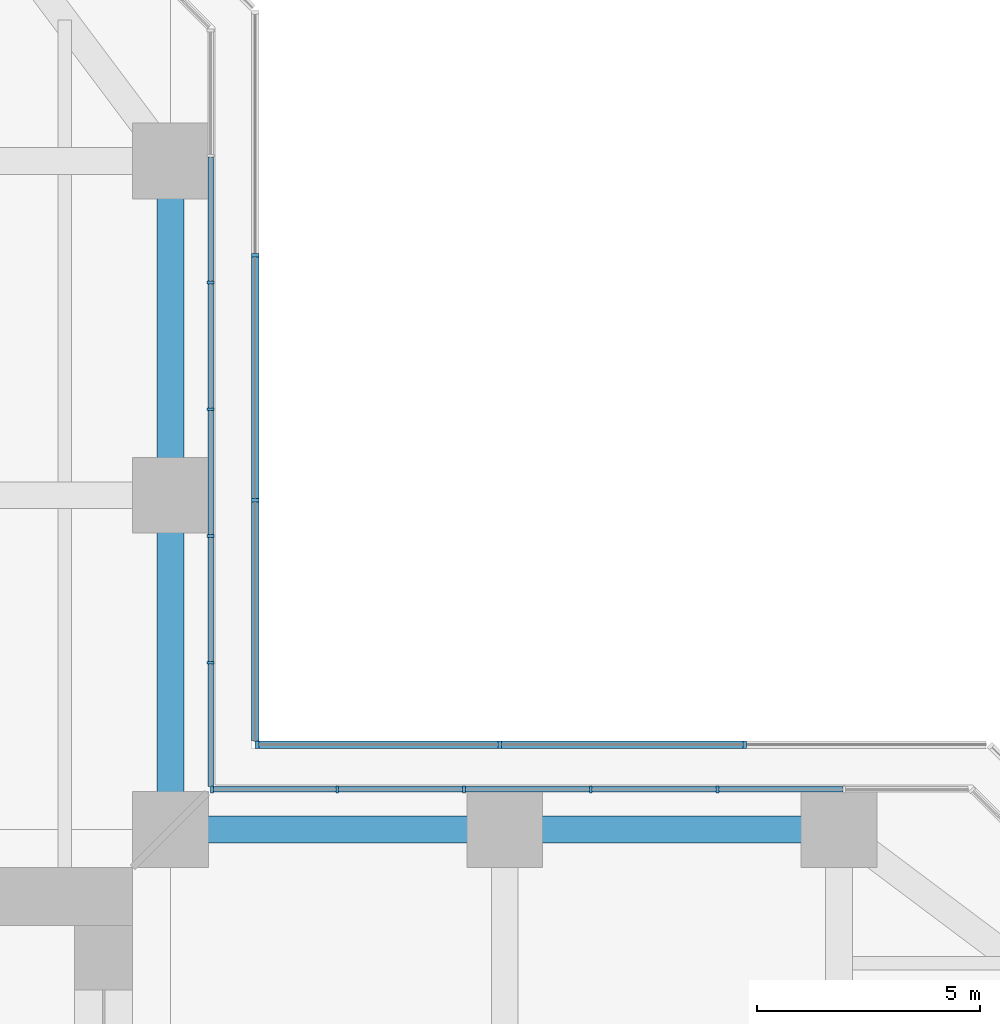
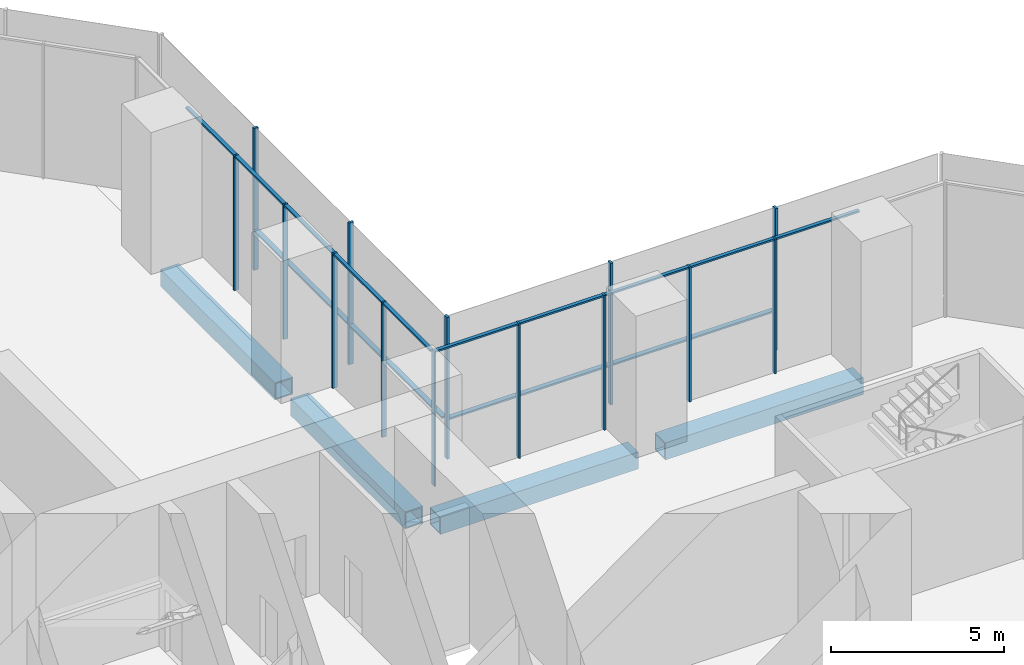
# One storey, part 10 of 23: 28 members, 4 beams, 4 elements without a shape of their own.
"""IFC4 building model written with IfcOpenShell, lengths in metres."""

from ifc_helpers import new_model, si_unit, direction, frame, origin, origin_2d, place, context, subcontext, project, spatial, rectangle, hollow_rectangle, extrude, material, material_profile, profile_set, type_object, element, aggregate, save


model = new_model("IFC4")

# Units and contexts
model_context = context("Model", 3, precision=1e-05, world=origin(), true_north=direction((0.0, 1.0)))
body_context = subcontext(model_context, "Body", "Model", "MODEL_VIEW")
ifc_project = project(units=[si_unit("LENGTHUNIT", "METRE"), si_unit("AREAUNIT", "SQUARE_METRE"), si_unit("VOLUMEUNIT", "CUBIC_METRE"), si_unit("PLANEANGLEUNIT", "RADIAN"), si_unit("MASSUNIT", "GRAM", prefix="KILO")], contexts=[model_context])

# Site, building, storey
site_placement = place(None, origin())
site = spatial("IfcSite", under=ifc_project, at=site_placement, CompositionType="ELEMENT")
building_placement = place(site_placement, origin())
building = spatial("IfcBuilding", under=site, at=building_placement, Name="Mizan Broadcast Tower", CompositionType="ELEMENT")
storey_placement = place(building_placement, frame((0.0, 0.0, 23.0)))
storey = spatial("IfcBuildingStorey", under=building, at=storey_placement, Name="L03", CompositionType="ELEMENT", Elevation=23.0)

# Beams
ifc_material_1 = material(Name="Steel S355", Category="steel")
ifc_material_profile_1 = material_profile(ifc_material_1, hollow_rectangle(XDim=0.60009765625, YDim=0.60009765625, WallThickness=0.0400390625, at=origin_2d()), Name="BOX 600x600x40")
ifc_profile_set_1 = profile_set([ifc_material_profile_1], Name="Steel S355")
beam_type = type_object("IfcBeamType", Name="EDGE BEAM BOX 600x600x40", PredefinedType="SPANDREL", material=ifc_profile_set_1)
for number, where, z_axis, x_axis, name in (
    (1, (12.449951171875, 12.0, -0.550048828125), (1.0, 0.0, 0.0), (0.0, 1.0, 0.0), "Edge beam BOX 600x600x40 L03 east arm"),
    (2, (19.949951171875, 12.0, -0.550048828125), (1.0, 0.0, 0.0), (0.0, 1.0, 0.0), "Edge beam BOX 600x600x40 L03 east arm"),
    (3, (12.0, 12.449951171875, -0.550048828125), (0.0, 1.0, 0.0), (-1.0, 0.0, 0.0), "Edge beam BOX 600x600x40 L03 north arm"),
    (4, (12.0, 19.949951171875, -0.550048828125), (0.0, 1.0, 0.0), (-1.0, 0.0, 0.0), "Edge beam BOX 600x600x40 L03 north arm"),
):
    element("IfcBeam", number, at=place(storey_placement, frame(where, z_axis=z_axis, x_axis=x_axis)), inside=storey, type_object=beam_type, Name=name, PredefinedType="SPANDREL", context=body_context, shape_type="SweptSolid", body=[
        extrude(hollow_rectangle(XDim=0.60009765625, YDim=0.60009765625, WallThickness=0.0400390625, at=origin_2d()), origin(), (0.0, 0.0, 1.0), 6.60009765625),
    ])

# Curtain wall, members
ifc_material_2 = material(Name="Aluminium framed glazing", Category="aluminium")
curtain_wall_type_1 = type_object("IfcCurtainWallType", Name="PODIUM CURTAIN WALL", PredefinedType="USERDEFINED", material=ifc_material_2)
curtain_wall_1_placement = place(storey_placement, origin())
curtain_wall_1 = element("IfcCurtainWall", 5, at=curtain_wall_1_placement, inside=storey, type_object=curtain_wall_type_1, Name="Podium curtain wall L03 E side", ObjectType="PODIUM CURTAIN WALL", PredefinedType="USERDEFINED")
ifc_material_3 = material(Name="Aluminium, pale anodised", Category="aluminium")
ifc_material_profile_2 = material_profile(ifc_material_3, rectangle(XDim=0.159912109375, YDim=0.06005859375, at=origin_2d()), Name="MULLION 160x60")
ifc_profile_set_2 = profile_set([ifc_material_profile_2], Name="Aluminium, pale anodised")
member_type_1 = type_object("IfcMemberType", Name="INNER SKIN MULLION 60x160", PredefinedType="MULLION", material=ifc_profile_set_2)
member_1_placement = place(storey_placement, frame((24.2724609375, 12.89990234375, 0.0), z_axis=(0.0, 0.0, 1.0), x_axis=(0.0, -1.0, 0.0)))
member_1 = element("IfcMember", 6, at=member_1_placement, type_object=member_type_1, Name="Podium curtain wall L03 E side mullion 3", PredefinedType="MULLION", context=body_context, shape_type="SweptSolid", body=[
    extrude(rectangle(XDim=0.159912109375, YDim=0.06005859375, at=origin_2d()), origin(), (0.0, 0.0, 1.0), 4.75),
])
member_2_placement = place(storey_placement, frame((21.42919921875, 12.89990234375, 0.0), z_axis=(0.0, 0.0, 1.0), x_axis=(0.0, -1.0, 0.0)))
member_2 = element("IfcMember", 7, at=member_2_placement, type_object=member_type_1, Name="Podium curtain wall L03 E side mullion 4", PredefinedType="MULLION", context=body_context, shape_type="SweptSolid", body=[
    extrude(rectangle(XDim=0.159912109375, YDim=0.06005859375, at=origin_2d()), origin(), (0.0, 0.0, 1.0), 4.75),
])
member_3_placement = place(storey_placement, frame((18.586181640625, 12.89990234375, 0.0), z_axis=(0.0, 0.0, 1.0), x_axis=(0.0, -1.0, 0.0)))
member_3 = element("IfcMember", 8, at=member_3_placement, type_object=member_type_1, Name="Podium curtain wall L03 E side mullion 5", PredefinedType="MULLION", context=body_context, shape_type="SweptSolid", body=[
    extrude(rectangle(XDim=0.159912109375, YDim=0.06005859375, at=origin_2d()), origin(), (0.0, 0.0, 1.0), 4.75),
])
member_4_placement = place(storey_placement, frame((15.7431640625, 12.89990234375, 0.0), z_axis=(0.0, 0.0, 1.0), x_axis=(0.0, -1.0, 0.0)))
member_4 = element("IfcMember", 9, at=member_4_placement, type_object=member_type_1, Name="Podium curtain wall L03 E side mullion 6", PredefinedType="MULLION", context=body_context, shape_type="SweptSolid", body=[
    extrude(rectangle(XDim=0.159912109375, YDim=0.06005859375, at=origin_2d()), origin(), (0.0, 0.0, 1.0), 4.75),
])
member_5_placement = place(storey_placement, frame((12.929931640625, 12.89990234375, 0.0), z_axis=(0.0, 0.0, 1.0), x_axis=(0.0, -1.0, 0.0)))
member_5 = element("IfcMember", 10, at=member_5_placement, type_object=member_type_1, Name="Podium curtain wall L03 E side mullion 7", PredefinedType="MULLION", context=body_context, shape_type="SweptSolid", body=[
    extrude(rectangle(XDim=0.159912109375, YDim=0.06005859375, at=origin_2d()), origin(), (0.0, 0.0, 1.0), 4.75),
])

curtain_wall_2_placement = place(storey_placement, origin())
curtain_wall_2 = element("IfcCurtainWall", 11, at=curtain_wall_2_placement, inside=storey, type_object=curtain_wall_type_1, Name="Podium curtain wall L03 N side", ObjectType="PODIUM CURTAIN WALL", PredefinedType="USERDEFINED")
member_6_placement = place(storey_placement, frame((12.89990234375, 15.7431640625, 0.0), z_axis=(0.0, 0.0, 1.0), x_axis=(-1.0, 0.0, 0.0)))
member_6 = element("IfcMember", 12, at=member_6_placement, type_object=member_type_1, Name="Podium curtain wall L03 N side mullion 2", PredefinedType="MULLION", context=body_context, shape_type="SweptSolid", body=[
    extrude(rectangle(XDim=0.159912109375, YDim=0.06005859375, at=origin_2d()), origin(), (0.0, 0.0, 1.0), 4.75),
])
member_7_placement = place(storey_placement, frame((12.89990234375, 18.586181640625, 0.0), z_axis=(0.0, 0.0, 1.0), x_axis=(-1.0, 0.0, 0.0)))
member_7 = element("IfcMember", 13, at=member_7_placement, type_object=member_type_1, Name="Podium curtain wall L03 N side mullion 3", PredefinedType="MULLION", context=body_context, shape_type="SweptSolid", body=[
    extrude(rectangle(XDim=0.159912109375, YDim=0.06005859375, at=origin_2d()), origin(), (0.0, 0.0, 1.0), 4.75),
])
member_8_placement = place(storey_placement, frame((12.89990234375, 21.42919921875, 0.0), z_axis=(0.0, 0.0, 1.0), x_axis=(-1.0, 0.0, 0.0)))
member_8 = element("IfcMember", 14, at=member_8_placement, type_object=member_type_1, Name="Podium curtain wall L03 N side mullion 4", PredefinedType="MULLION", context=body_context, shape_type="SweptSolid", body=[
    extrude(rectangle(XDim=0.159912109375, YDim=0.06005859375, at=origin_2d()), origin(), (0.0, 0.0, 1.0), 4.75),
])
member_9_placement = place(storey_placement, frame((12.89990234375, 24.2724609375, 0.0), z_axis=(0.0, 0.0, 1.0), x_axis=(-1.0, 0.0, 0.0)))
member_9 = element("IfcMember", 15, at=member_9_placement, type_object=member_type_1, Name="Podium curtain wall L03 N side mullion 5", PredefinedType="MULLION", context=body_context, shape_type="SweptSolid", body=[
    extrude(rectangle(XDim=0.159912109375, YDim=0.06005859375, at=origin_2d()), origin(), (0.0, 0.0, 1.0), 4.75),
])

# Member
ifc_material_4 = material(Name="Aluminium, pale anodised", Category="aluminium")
ifc_material_profile_3 = material_profile(ifc_material_4, rectangle(XDim=0.1201171875, YDim=0.06005859375, at=origin_2d()), Name="TRANSOM 120x60")
ifc_profile_set_3 = profile_set([ifc_material_profile_3], Name="Aluminium, pale anodised")
member_type_2 = type_object("IfcMemberType", Name="INNER SKIN TRANSOM 60x120", PredefinedType="USERDEFINED", material=ifc_profile_set_3)
member_10_placement = place(storey_placement, frame((27.08544921875, 12.89990234375, 4.719970703125), z_axis=(-1.0, 0.0, 0.0), x_axis=(0.0, -1.0, 0.0)))
member_10 = element("IfcMember", 16, at=member_10_placement, type_object=member_type_2, Name="Podium curtain wall L03 E side transom 2.1", ObjectType="TRANSOM", PredefinedType="USERDEFINED", context=body_context, shape_type="SweptSolid", body=[
    extrude(rectangle(XDim=0.1201171875, YDim=0.06005859375, at=origin_2d()), origin(), (0.0, 0.0, 1.0), 2.782958984375),
])

member_11_placement = place(storey_placement, frame((24.242431640625, 12.89990234375, 4.719970703125), z_axis=(-1.0, 0.0, 0.0), x_axis=(0.0, -1.0, 0.0)))
member_11 = element("IfcMember", 17, at=member_11_placement, type_object=member_type_2, Name="Podium curtain wall L03 E side transom 3.1", ObjectType="TRANSOM", PredefinedType="USERDEFINED", context=body_context, shape_type="SweptSolid", body=[
    extrude(rectangle(XDim=0.1201171875, YDim=0.06005859375, at=origin_2d()), origin(), (0.0, 0.0, 1.0), 2.783203125),
])

member_12_placement = place(storey_placement, frame((21.399169921875, 12.89990234375, 4.719970703125), z_axis=(-1.0, 0.0, 0.0), x_axis=(0.0, -1.0, 0.0)))
member_12 = element("IfcMember", 18, at=member_12_placement, type_object=member_type_2, Name="Podium curtain wall L03 E side transom 4.1", ObjectType="TRANSOM", PredefinedType="USERDEFINED", context=body_context, shape_type="SweptSolid", body=[
    extrude(rectangle(XDim=0.1201171875, YDim=0.06005859375, at=origin_2d()), origin(), (0.0, 0.0, 1.0), 2.782958984375),
])

member_13_placement = place(storey_placement, frame((18.55615234375, 12.89990234375, 4.719970703125), z_axis=(-1.0, 0.0, 0.0), x_axis=(0.0, -1.0, 0.0)))
member_13 = element("IfcMember", 19, at=member_13_placement, type_object=member_type_2, Name="Podium curtain wall L03 E side transom 5.1", ObjectType="TRANSOM", PredefinedType="USERDEFINED", context=body_context, shape_type="SweptSolid", body=[
    extrude(rectangle(XDim=0.1201171875, YDim=0.06005859375, at=origin_2d()), origin(), (0.0, 0.0, 1.0), 2.782958984375),
])

member_14_placement = place(storey_placement, frame((15.713134765625, 12.89990234375, 4.719970703125), z_axis=(-1.0, 0.0, 0.0), x_axis=(0.0, -1.0, 0.0)))
member_14 = element("IfcMember", 20, at=member_14_placement, type_object=member_type_2, Name="Podium curtain wall L03 E side transom 6.1", ObjectType="TRANSOM", PredefinedType="USERDEFINED", context=body_context, shape_type="SweptSolid", body=[
    extrude(rectangle(XDim=0.1201171875, YDim=0.06005859375, at=origin_2d()), origin(), (0.0, 0.0, 1.0), 2.753173828125),
])

aggregate(curtain_wall_1, [member_1, member_2, member_3, member_4, member_5, member_10, member_11, member_12, member_13, member_14])

member_15_placement = place(storey_placement, frame((12.89990234375, 12.9599609375, 4.719970703125), z_axis=(0.0, 1.0, 0.0), x_axis=(-1.0, 0.0, 0.0)))
member_15 = element("IfcMember", 21, at=member_15_placement, type_object=member_type_2, Name="Podium curtain wall L03 N side transom 1.1", ObjectType="TRANSOM", PredefinedType="USERDEFINED", context=body_context, shape_type="SweptSolid", body=[
    extrude(rectangle(XDim=0.1201171875, YDim=0.06005859375, at=origin_2d()), origin(), (0.0, 0.0, 1.0), 2.753173828125),
])

member_16_placement = place(storey_placement, frame((12.89990234375, 15.773193359375, 4.719970703125), z_axis=(0.0, 1.0, 0.0), x_axis=(-1.0, 0.0, 0.0)))
member_16 = element("IfcMember", 22, at=member_16_placement, type_object=member_type_2, Name="Podium curtain wall L03 N side transom 2.1", ObjectType="TRANSOM", PredefinedType="USERDEFINED", context=body_context, shape_type="SweptSolid", body=[
    extrude(rectangle(XDim=0.1201171875, YDim=0.06005859375, at=origin_2d()), origin(), (0.0, 0.0, 1.0), 2.782958984375),
])

member_17_placement = place(storey_placement, frame((12.89990234375, 18.6162109375, 4.719970703125), z_axis=(0.0, 1.0, 0.0), x_axis=(-1.0, 0.0, 0.0)))
member_17 = element("IfcMember", 23, at=member_17_placement, type_object=member_type_2, Name="Podium curtain wall L03 N side transom 3.1", ObjectType="TRANSOM", PredefinedType="USERDEFINED", context=body_context, shape_type="SweptSolid", body=[
    extrude(rectangle(XDim=0.1201171875, YDim=0.06005859375, at=origin_2d()), origin(), (0.0, 0.0, 1.0), 2.782958984375),
])

member_18_placement = place(storey_placement, frame((12.89990234375, 21.459228515625, 4.719970703125), z_axis=(0.0, 1.0, 0.0), x_axis=(-1.0, 0.0, 0.0)))
member_18 = element("IfcMember", 24, at=member_18_placement, type_object=member_type_2, Name="Podium curtain wall L03 N side transom 4.1", ObjectType="TRANSOM", PredefinedType="USERDEFINED", context=body_context, shape_type="SweptSolid", body=[
    extrude(rectangle(XDim=0.1201171875, YDim=0.06005859375, at=origin_2d()), origin(), (0.0, 0.0, 1.0), 2.783203125),
])

member_19_placement = place(storey_placement, frame((12.89990234375, 24.302490234375, 4.719970703125), z_axis=(0.0, 1.0, 0.0), x_axis=(-1.0, 0.0, 0.0)))
member_19 = element("IfcMember", 25, at=member_19_placement, type_object=member_type_2, Name="Podium curtain wall L03 N side transom 5.1", ObjectType="TRANSOM", PredefinedType="USERDEFINED", context=body_context, shape_type="SweptSolid", body=[
    extrude(rectangle(XDim=0.1201171875, YDim=0.06005859375, at=origin_2d()), origin(), (0.0, 0.0, 1.0), 2.782958984375),
])

aggregate(curtain_wall_2, [member_6, member_7, member_8, member_9, member_15, member_16, member_17, member_18, member_19])

# Curtain wall, members
ifc_material_5 = material(Name="Aluminium framed glazing", Category="aluminium")
curtain_wall_type_2 = type_object("IfcCurtainWallType", Name="OUTER SKIN", PredefinedType="USERDEFINED", material=ifc_material_5)
curtain_wall_3_placement = place(storey_placement, origin())
curtain_wall_3 = element("IfcCurtainWall", 26, at=curtain_wall_3_placement, inside=storey, type_object=curtain_wall_type_2, Name="Outer skin L03 E side", ObjectType="OUTER SKIN", PredefinedType="USERDEFINED")
ifc_material_6 = material(Name="Aluminium, pale anodised", Category="aluminium")
ifc_material_profile_4 = material_profile(ifc_material_6, rectangle(XDim=0.159912109375, YDim=0.080078125, at=origin_2d()), Name="MULLION 160x80")
ifc_profile_set_4 = profile_set([ifc_material_profile_4], Name="Aluminium, pale anodised")
member_type_3 = type_object("IfcMemberType", Name="OUTER SKIN MULLION 80x160", PredefinedType="MULLION", material=ifc_profile_set_4)
member_20_placement = place(storey_placement, frame((24.8818359375, 13.89990234375, 0.0), z_axis=(0.0, 0.0, 1.0), x_axis=(0.0, -1.0, 0.0)))
member_20 = element("IfcMember", 27, at=member_20_placement, type_object=member_type_3, Name="Outer skin L03 E side mullion 2", PredefinedType="MULLION", context=body_context, shape_type="SweptSolid", body=[
    extrude(rectangle(XDim=0.159912109375, YDim=0.080078125, at=origin_2d()), origin(), (0.0, 0.0, 1.0), 5.0),
])
member_21_placement = place(storey_placement, frame((19.390869140625, 13.89990234375, 0.0), z_axis=(0.0, 0.0, 1.0), x_axis=(0.0, -1.0, 0.0)))
member_21 = element("IfcMember", 28, at=member_21_placement, type_object=member_type_3, Name="Outer skin L03 E side mullion 3", PredefinedType="MULLION", context=body_context, shape_type="SweptSolid", body=[
    extrude(rectangle(XDim=0.159912109375, YDim=0.080078125, at=origin_2d()), origin(), (0.0, 0.0, 1.0), 5.0),
])
member_22_placement = place(storey_placement, frame((13.93994140625, 13.89990234375, 0.0), z_axis=(0.0, 0.0, 1.0), x_axis=(0.0, -1.0, 0.0)))
member_22 = element("IfcMember", 29, at=member_22_placement, type_object=member_type_3, Name="Outer skin L03 E side mullion 4", PredefinedType="MULLION", context=body_context, shape_type="SweptSolid", body=[
    extrude(rectangle(XDim=0.159912109375, YDim=0.080078125, at=origin_2d()), origin(), (0.0, 0.0, 1.0), 5.0),
])

curtain_wall_4_placement = place(storey_placement, origin())
curtain_wall_4 = element("IfcCurtainWall", 30, at=curtain_wall_4_placement, inside=storey, type_object=curtain_wall_type_2, Name="Outer skin L03 N side", ObjectType="OUTER SKIN", PredefinedType="USERDEFINED")
member_23_placement = place(storey_placement, frame((13.89990234375, 19.390869140625, 0.0), z_axis=(0.0, 0.0, 1.0), x_axis=(-1.0, 0.0, 0.0)))
member_23 = element("IfcMember", 31, at=member_23_placement, type_object=member_type_3, Name="Outer skin L03 N side mullion 2", PredefinedType="MULLION", context=body_context, shape_type="SweptSolid", body=[
    extrude(rectangle(XDim=0.159912109375, YDim=0.080078125, at=origin_2d()), origin(), (0.0, 0.0, 1.0), 5.0),
])
member_24_placement = place(storey_placement, frame((13.89990234375, 24.8818359375, 0.0), z_axis=(0.0, 0.0, 1.0), x_axis=(-1.0, 0.0, 0.0)))
member_24 = element("IfcMember", 32, at=member_24_placement, type_object=member_type_3, Name="Outer skin L03 N side mullion 3", PredefinedType="MULLION", context=body_context, shape_type="SweptSolid", body=[
    extrude(rectangle(XDim=0.159912109375, YDim=0.080078125, at=origin_2d()), origin(), (0.0, 0.0, 1.0), 5.0),
])

# Member
ifc_material_7 = material(Name="Aluminium, pale anodised", Category="aluminium")
ifc_material_profile_5 = material_profile(ifc_material_7, rectangle(XDim=0.159912109375, YDim=0.06005859375, at=origin_2d()), Name="TRANSOM 160x60")
ifc_profile_set_5 = profile_set([ifc_material_profile_5], Name="Aluminium, pale anodised")
member_type_4 = type_object("IfcMemberType", Name="OUTER SKIN TRANSOM 60x160", PredefinedType="USERDEFINED", material=ifc_profile_set_5)
member_25_placement = place(storey_placement, frame((24.841796875, 13.89990234375, 1.39990234375), z_axis=(-1.0, 0.0, 0.0), x_axis=(0.0, -1.0, 0.0)))
member_25 = element("IfcMember", 33, at=member_25_placement, type_object=member_type_4, Name="Outer skin L03 E side transom 2.1", ObjectType="TRANSOM", PredefinedType="USERDEFINED", context=body_context, shape_type="SweptSolid", body=[
    extrude(rectangle(XDim=0.159912109375, YDim=0.06005859375, at=origin_2d()), origin(), (0.0, 0.0, 1.0), 5.410888671875),
])

member_26_placement = place(storey_placement, frame((19.350830078125, 13.89990234375, 1.39990234375), z_axis=(-1.0, 0.0, 0.0), x_axis=(0.0, -1.0, 0.0)))
member_26 = element("IfcMember", 34, at=member_26_placement, type_object=member_type_4, Name="Outer skin L03 E side transom 3.1", ObjectType="TRANSOM", PredefinedType="USERDEFINED", context=body_context, shape_type="SweptSolid", body=[
    extrude(rectangle(XDim=0.159912109375, YDim=0.06005859375, at=origin_2d()), origin(), (0.0, 0.0, 1.0), 5.370849609375),
])

aggregate(curtain_wall_3, [member_20, member_21, member_22, member_25, member_26])

member_27_placement = place(storey_placement, frame((13.89990234375, 13.97998046875, 1.39990234375), z_axis=(0.0, 1.0, 0.0), x_axis=(-1.0, 0.0, 0.0)))
member_27 = element("IfcMember", 35, at=member_27_placement, type_object=member_type_4, Name="Outer skin L03 N side transom 1.1", ObjectType="TRANSOM", PredefinedType="USERDEFINED", context=body_context, shape_type="SweptSolid", body=[
    extrude(rectangle(XDim=0.159912109375, YDim=0.06005859375, at=origin_2d()), origin(), (0.0, 0.0, 1.0), 5.370849609375),
])

member_28_placement = place(storey_placement, frame((13.89990234375, 19.430908203125, 1.39990234375), z_axis=(0.0, 1.0, 0.0), x_axis=(-1.0, 0.0, 0.0)))
member_28 = element("IfcMember", 36, at=member_28_placement, type_object=member_type_4, Name="Outer skin L03 N side transom 2.1", ObjectType="TRANSOM", PredefinedType="USERDEFINED", context=body_context, shape_type="SweptSolid", body=[
    extrude(rectangle(XDim=0.159912109375, YDim=0.06005859375, at=origin_2d()), origin(), (0.0, 0.0, 1.0), 5.410888671875),
])

aggregate(curtain_wall_4, [member_23, member_24, member_27, member_28])

save(model, "model.ifc")
